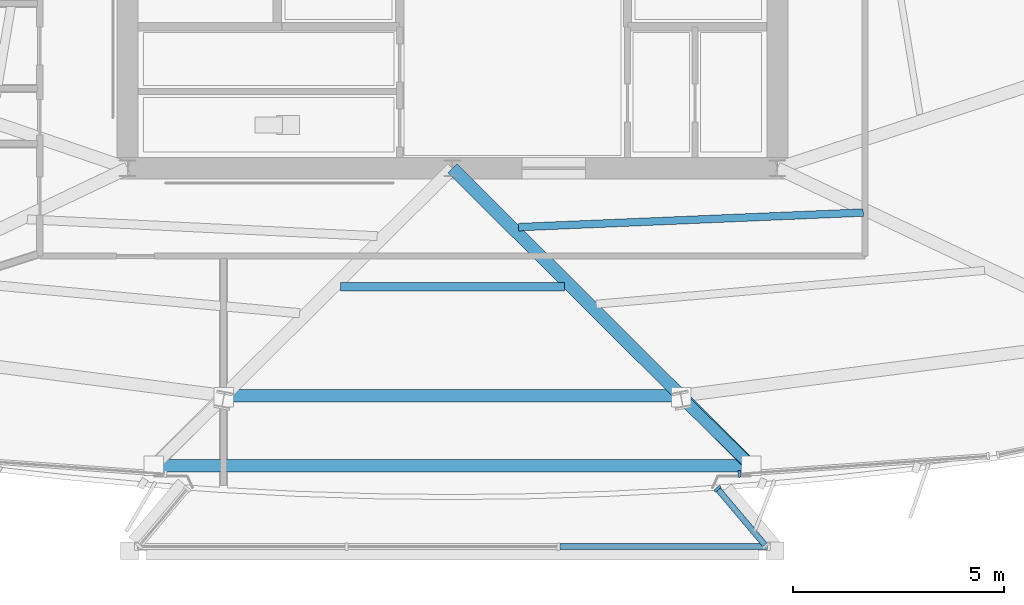
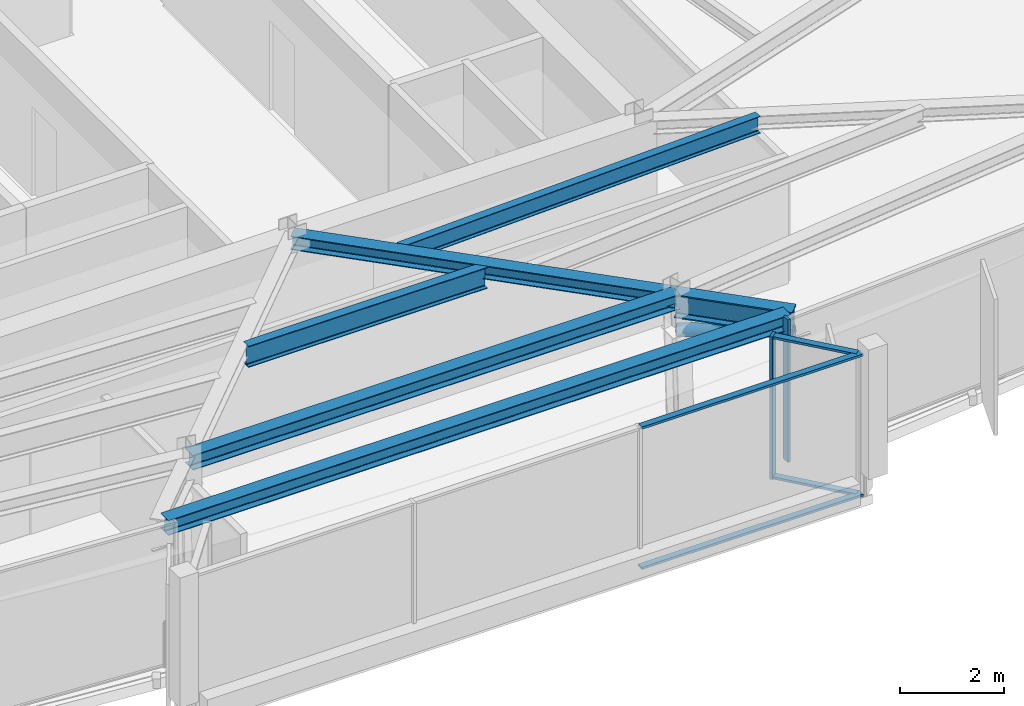
# One storey, part 3 of 14: 7 members, 6 beams, 3 elements without a shape of their own.
"""IFC4 building model written with IfcOpenShell, lengths in metres."""

from ifc_helpers import new_model, si_unit, direction, frame, origin, origin_2d, place, context, subcontext, project, spatial, rectangle, hollow_circle, i_section, extrude, material, material_profile, profile_set, type_object, element, aggregate, save


model = new_model("IFC4")

# Units and contexts
model_context = context("Model", 3, precision=1e-05, world=origin(), true_north=direction((0.0, 1.0)))
body_context = subcontext(model_context, "Body", "Model", "MODEL_VIEW")
ifc_project = project(units=[si_unit("LENGTHUNIT", "METRE"), si_unit("AREAUNIT", "SQUARE_METRE"), si_unit("VOLUMEUNIT", "CUBIC_METRE"), si_unit("PLANEANGLEUNIT", "RADIAN"), si_unit("MASSUNIT", "GRAM", prefix="KILO")], contexts=[model_context])

# Site, building, storey
site_placement = place(None, origin())
site = spatial("IfcSite", under=ifc_project, at=site_placement, CompositionType="ELEMENT")
building_placement = place(site_placement, origin())
building = spatial("IfcBuilding", under=site, at=building_placement, Name="Savorim Split Tower", CompositionType="ELEMENT")
storey_placement = place(building_placement, frame((0.0, 0.0, 234.300048828125)))
storey = spatial("IfcBuildingStorey", under=building, at=storey_placement, Name="L62", CompositionType="ELEMENT", Elevation=234.300048828125)

# Beams
ifc_material_1 = material(Name="Steel S355", Category="steel")
ifc_material_profile_1 = material_profile(ifc_material_1, i_section(OverallWidth=0.179931640625, OverallDepth=0.39990234375, WebThickness=0.008544921875, FlangeThickness=0.013427734375, FilletRadius=0.02099609375, at=origin_2d()), Name="IPE 400")
ifc_profile_set_1 = profile_set([ifc_material_profile_1], Name="Steel S355")
beam_type_1 = type_object("IfcBeamType", Name="BM-JST-IPE400", PredefinedType="JOIST", material=ifc_profile_set_1)
beam_1_placement = place(storey_placement, frame((1.5673828125, -10.795166015625, 3.14990234375), z_axis=(0.999109790042, 0.042185630758, 0.0), x_axis=(-0.042185630758, 0.999109790042, 0.0)))
element("IfcBeam", 1, at=beam_1_placement, inside=storey, type_object=beam_type_1, Name="L62 Secondary Floor Joist JS-05", PredefinedType="JOIST", context=body_context, shape_type="SweptSolid", body=[
    extrude(i_section(OverallWidth=0.179931640625, OverallDepth=0.39990234375, WebThickness=0.008544921875, FlangeThickness=0.013427734375, FilletRadius=0.02099609375, at=origin_2d()), origin(), (0.0, 0.0, 1.0), 8.177490234375),
])
ifc_material_profile_2 = material_profile(ifc_material_1, i_section(OverallWidth=0.199951171875, OverallDepth=0.5, WebThickness=0.01025390625, FlangeThickness=0.01611328125, FilletRadius=0.02099609375, at=origin_2d()), Name="IPE 500")
ifc_profile_set_2 = profile_set([ifc_material_profile_2], Name="Steel S355")
beam_type_2 = type_object("IfcBeamType", Name="BM-JST-IPE500", PredefinedType="JOIST", material=ifc_profile_set_2)
beam_2_placement = place(storey_placement, frame((-2.65478515625, -12.20361328125, 3.099853515625), z_axis=(1.0, 0.0, 0.0), x_axis=(0.0, 1.0, 0.0)))
element("IfcBeam", 2, at=beam_2_placement, inside=storey, type_object=beam_type_2, Name="L62 Secondary Floor Joist JS-03", PredefinedType="JOIST", context=body_context, shape_type="SweptSolid", body=[
    extrude(i_section(OverallWidth=0.199951171875, OverallDepth=0.5, WebThickness=0.01025390625, FlangeThickness=0.01611328125, FilletRadius=0.02099609375, at=origin_2d()), origin(), (0.0, 0.0, 1.0), 5.3095703125),
])
ifc_material_profile_3 = material_profile(ifc_material_1, i_section(OverallWidth=0.300048828125, OverallDepth=0.320068359375, WebThickness=0.011474609375, FlangeThickness=0.0205078125, FilletRadius=0.027099609375, at=origin_2d()), Name="HEB 320")
ifc_profile_set_3 = profile_set([ifc_material_profile_3], Name="Steel S355")
beam_type_3 = type_object("IfcBeamType", Name="BM-PRI-HEB320", PredefinedType="BEAM", material=ifc_profile_set_3)
beam_3_placement = place(storey_placement, frame((5.413330078125, -14.791748046875, 3.18994140625), z_axis=(-0.708511350107, 0.705699416728, 0.0), x_axis=(-0.705699416728, -0.708511350107, 0.0)))
element("IfcBeam", 3, at=beam_3_placement, inside=storey, type_object=beam_type_3, Name="L62 Primary Floor Girder RG-03", PredefinedType="BEAM", context=body_context, shape_type="SweptSolid", body=[
    extrude(i_section(OverallWidth=0.300048828125, OverallDepth=0.320068359375, WebThickness=0.011474609375, FlangeThickness=0.0205078125, FilletRadius=0.027099609375, at=origin_2d()), origin(), (0.0, 0.0, 1.0), 7.640380859375),
])
ifc_material_profile_4 = material_profile(ifc_material_1, i_section(OverallWidth=0.300048828125, OverallDepth=0.550048828125, WebThickness=0.014892578125, FlangeThickness=0.029052734375, FilletRadius=0.027099609375, at=origin_2d()), Name="HEB 550")
ifc_profile_set_4 = profile_set([ifc_material_profile_4], Name="Steel S355")
beam_type_4 = type_object("IfcBeamType", Name="BM-PRI-HEB550", PredefinedType="BEAM", material=ifc_profile_set_4)
beam_4_placement = place(storey_placement, frame((5.413330078125, -14.791748046875, 3.074951171875), z_axis=(0.708507861932, -0.705702918784, 0.0), x_axis=(0.705702918784, 0.708507861932, 0.0)))
element("IfcBeam", 4, at=beam_4_placement, inside=storey, type_object=beam_type_4, Name="L62 Cantilevered Lounge Rib 2", PredefinedType="BEAM", context=body_context, shape_type="SweptSolid", body=[
    extrude(i_section(OverallWidth=0.300048828125, OverallDepth=0.550048828125, WebThickness=0.014892578125, FlangeThickness=0.029052734375, FilletRadius=0.027099609375, at=origin_2d()), origin(), (0.0, 0.0, 1.0), 2.35009765625),
])
ifc_material_profile_5 = material_profile(ifc_material_1, i_section(OverallWidth=0.300048828125, OverallDepth=0.35009765625, WebThickness=0.010009765625, FlangeThickness=0.017578125, FilletRadius=0.027099609375, at=origin_2d()), Name="HEA 360")
ifc_profile_set_5 = profile_set([ifc_material_profile_5], Name="Steel S355")
beam_type_5 = type_object("IfcBeamType", Name="BM-SPN-HEA360", PredefinedType="SPANDREL", material=ifc_profile_set_5)
beam_5_placement = place(storey_placement, frame((-5.413330078125, -14.791748046875, 3.175048828125), z_axis=(1.0, 0.0, 0.0), x_axis=(0.0, 1.0, 0.0)))
element("IfcBeam", 5, at=beam_5_placement, inside=storey, type_object=beam_type_5, Name="L62 Perimeter Spandrel Beam 2", PredefinedType="SPANDREL", context=body_context, shape_type="SweptSolid", body=[
    extrude(i_section(OverallWidth=0.300048828125, OverallDepth=0.35009765625, WebThickness=0.010009765625, FlangeThickness=0.017578125, FilletRadius=0.027099609375, at=origin_2d()), origin(), (0.0, 0.0, 1.0), 10.82666015625),
])
beam_6_placement = place(storey_placement, frame((-6.918212890625, -16.4501953125, 3.175048828125), z_axis=(1.0, 0.0, 0.0), x_axis=(0.0, 1.0, 0.0)))
element("IfcBeam", 6, at=beam_6_placement, inside=storey, type_object=beam_type_5, Name="L62 Cantilevered Lounge Front Edge Beam", PredefinedType="SPANDREL", context=body_context, shape_type="SweptSolid", body=[
    extrude(i_section(OverallWidth=0.300048828125, OverallDepth=0.35009765625, WebThickness=0.010009765625, FlangeThickness=0.017578125, FilletRadius=0.027099609375, at=origin_2d()), origin(), (0.0, 0.0, 1.0), 13.83642578125),
])

# Curtain wall, member
ifc_material_2 = material(Name="Dark Ceramic-Fritted Insulated Glass", Category="glass")
curtain_wall_type_1 = type_object("IfcCurtainWallType", Name="CW-TWR-FRIT-B", PredefinedType="NOTDEFINED", material=ifc_material_2)
curtain_wall_1_placement = place(storey_placement, origin())
curtain_wall_1 = element("IfcCurtainWall", 7, at=curtain_wall_1_placement, inside=storey, type_object=curtain_wall_type_1, Name="L62 Curtain Wall CW-L62-SF3A", PredefinedType="NOTDEFINED")
ifc_material_3 = material(Name="Charcoal Anodised Aluminium", Category="aluminium")
ifc_material_profile_6 = material_profile(ifc_material_3, rectangle(XDim=0.159912109375, YDim=0.06005859375, at=origin_2d()), Name="ALU-M 160x60")
ifc_profile_set_6 = profile_set([ifc_material_profile_6], Name="Charcoal Anodised Aluminium")
member_type_1 = type_object("IfcMemberType", Name="CWM-160x60", PredefinedType="MULLION", material=ifc_profile_set_6)
member_1_placement = place(storey_placement, frame((6.801513671875, -16.64453125, 0.0), z_axis=(0.0, 0.0, 1.0), x_axis=(-0.071557956097, 0.997436443549, 0.0)))
member_1 = element("IfcMember", 8, at=member_1_placement, type_object=member_type_1, Name="CW-03 mullion 1", PredefinedType="MULLION", context=body_context, shape_type="SweptSolid", body=[
    extrude(rectangle(XDim=0.159912109375, YDim=0.06005859375, at=origin_2d()), origin(), (0.0, 0.0, 1.0), 3.349853515625),
])
aggregate(curtain_wall_1, [member_1])

curtain_wall_type_2 = type_object("IfcCurtainWallType", Name="CW-BAY-LOUNGE", PredefinedType="NOTDEFINED", material=ifc_material_2)
curtain_wall_2_placement = place(storey_placement, origin())
curtain_wall_2 = element("IfcCurtainWall", 9, at=curtain_wall_2_placement, inside=storey, type_object=curtain_wall_type_2, Name="L62 Curtain Wall CW-L62-BAYE", PredefinedType="NOTDEFINED")
ifc_material_profile_7 = material_profile(ifc_material_3, rectangle(XDim=0.179931640625, YDim=0.06494140625, at=origin_2d()), Name="ALU-M 180x65")
ifc_profile_set_7 = profile_set([ifc_material_profile_7], Name="Charcoal Anodised Aluminium")
member_type_2 = type_object("IfcMemberType", Name="CWM-180x65", PredefinedType="MULLION", material=ifc_profile_set_7)
member_2_placement = place(storey_placement, frame((6.28271484375, -16.998046875, 0.0), z_axis=(0.0, 0.0, 1.0), x_axis=(-0.764177330189, -0.645006207741, 0.0)))
member_2 = element("IfcMember", 10, at=member_2_placement, type_object=member_type_2, Name="CW-04 mullion 2", PredefinedType="MULLION", context=body_context, shape_type="SweptSolid", body=[
    extrude(rectangle(XDim=0.179931640625, YDim=0.06494140625, at=origin_2d()), origin(), (0.0, 0.0, 1.0), 3.349853515625),
])

# Curtain wall, members
curtain_wall_3_placement = place(storey_placement, origin())
curtain_wall_3 = element("IfcCurtainWall", 11, at=curtain_wall_3_placement, inside=storey, type_object=curtain_wall_type_2, Name="L62 Curtain Wall CW-L62-BAYF", PredefinedType="NOTDEFINED")
ifc_material_profile_8 = material_profile(ifc_material_3, rectangle(XDim=0.139892578125, YDim=0.054931640625, at=origin_2d()), Name="ALU-T 140x55")
ifc_profile_set_8 = profile_set([ifc_material_profile_8], Name="Charcoal Anodised Aluminium")
member_type_3 = type_object("IfcMemberType", Name="CWT-140x55", PredefinedType="USERDEFINED", material=ifc_profile_set_8)
member_3_placement = place(storey_placement, frame((2.5439453125, -18.36767578125, 0.02734375), z_axis=(1.0, 0.0, 0.0), x_axis=(0.0, 1.0, 0.0)))
member_3 = element("IfcMember", 12, at=member_3_placement, type_object=member_type_3, Name="CW-04 transom 3.1", ObjectType="TRANSOM", PredefinedType="USERDEFINED", context=body_context, shape_type="SweptSolid", body=[
    extrude(rectangle(XDim=0.139892578125, YDim=0.054931640625, at=origin_2d()), origin(), (0.0, 0.0, 1.0), 4.925048828125),
])
member_4_placement = place(storey_placement, frame((2.5439453125, -18.36767578125, 3.322509765625), z_axis=(1.0, 0.0, 0.0), x_axis=(0.0, 1.0, 0.0)))
member_4 = element("IfcMember", 13, at=member_4_placement, type_object=member_type_3, Name="CW-04 transom 3.2", ObjectType="TRANSOM", PredefinedType="USERDEFINED", context=body_context, shape_type="SweptSolid", body=[
    extrude(rectangle(XDim=0.139892578125, YDim=0.054931640625, at=origin_2d()), origin(), (0.0, 0.0, 1.0), 4.925048828125),
])
aggregate(curtain_wall_3, [member_3, member_4])

# Member
member_5_placement = place(storey_placement, frame((7.403564453125, -18.325927734375, 0.02734375), z_axis=(-0.644959790456, 0.764216506427, 0.0), x_axis=(-0.764216506427, -0.644959790456, 0.0)))
member_5 = element("IfcMember", 14, at=member_5_placement, type_object=member_type_3, Name="CW-04 transom 1.1", ObjectType="TRANSOM", PredefinedType="USERDEFINED", context=body_context, shape_type="SweptSolid", body=[
    extrude(rectangle(XDim=0.139892578125, YDim=0.054931640625, at=origin_2d()), origin(), (0.0, 0.0, 1.0), 1.705322265625),
])

member_6_placement = place(storey_placement, frame((7.403564453125, -18.325927734375, 3.322509765625), z_axis=(-0.644959790456, 0.764216506427, 0.0), x_axis=(-0.764216506427, -0.644959790456, 0.0)))
member_6 = element("IfcMember", 15, at=member_6_placement, type_object=member_type_3, Name="CW-04 transom 1.2", ObjectType="TRANSOM", PredefinedType="USERDEFINED", context=body_context, shape_type="SweptSolid", body=[
    extrude(rectangle(XDim=0.139892578125, YDim=0.054931640625, at=origin_2d()), origin(), (0.0, 0.0, 1.0), 1.705322265625),
])

aggregate(curtain_wall_2, [member_2, member_5, member_6])

ifc_material_profile_9 = material_profile(ifc_material_1, hollow_circle(Radius=0.136474609375, WallThickness=0.01611328125, at=origin_2d()), Name="CHS 273x16")
ifc_profile_set_9 = profile_set([ifc_material_profile_9], Name="Steel S355")
member_type_4 = type_object("IfcMemberType", Name="MBR-CRN-CHS273", PredefinedType="BRACE", material=ifc_profile_set_9)
member_7_placement = place(storey_placement, frame((5.421142578125, -14.832275390625, 2.449951171875), z_axis=(0.706576242468, -0.689817436482, 0.157803415377), x_axis=(0.698570137872, 0.715541586823, 0.0)))
element("IfcMember", 16, at=member_7_placement, inside=storey, type_object=member_type_4, Name="L62 Cantilevered Bay Support Strut 2", PredefinedType="BRACE", context=body_context, shape_type="SweptSolid", body=[
    extrude(hollow_circle(Radius=0.136474609375, WallThickness=0.01611328125, at=origin_2d()), origin(), (0.0, 0.0, 1.0), 2.345458984375),
])

save(model, "model.ifc")
